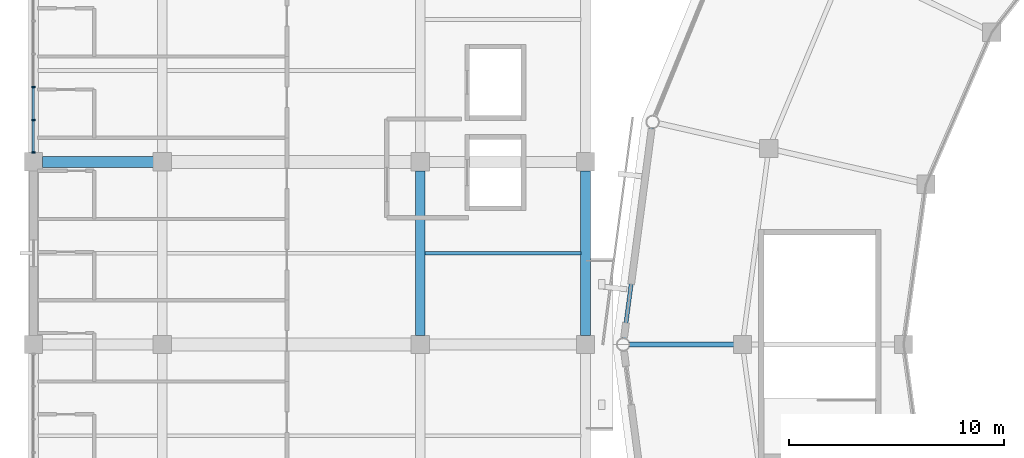
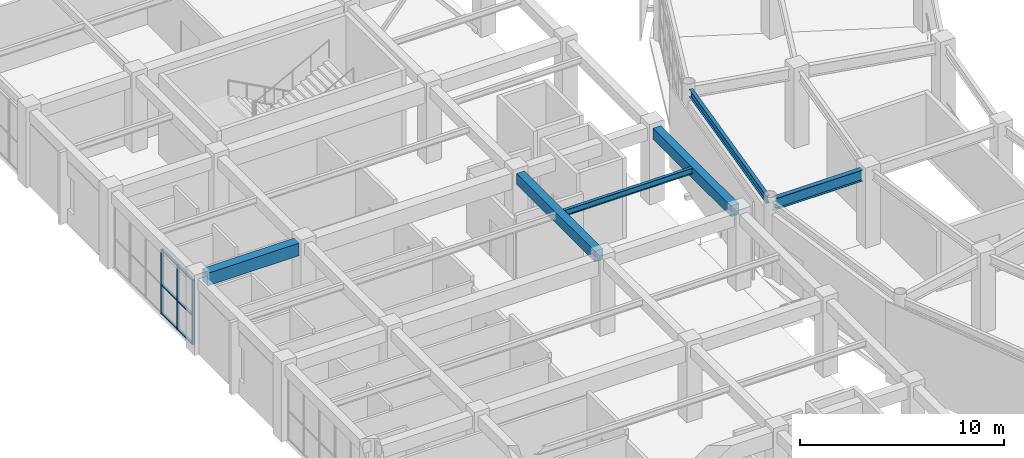
# One storey, part 35 of 112: 9 members, 6 beams, 1 element without a shape of its own.
"""IFC4 building model written with IfcOpenShell, lengths in metres."""

from ifc_helpers import new_model, si_unit, direction, frame, origin, origin_2d, place, context, subcontext, project, spatial, rectangle, i_section, extrude, material, material_profile, profile_set, type_object, element, aggregate, save


model = new_model("IFC4")

# Units and contexts
model_context = context("Model", 3, precision=1e-05, world=origin(), true_north=direction((0.0, 1.0)))
body_context = subcontext(model_context, "Body", "Model", "MODEL_VIEW")
ifc_project = project(units=[si_unit("LENGTHUNIT", "METRE"), si_unit("AREAUNIT", "SQUARE_METRE"), si_unit("VOLUMEUNIT", "CUBIC_METRE"), si_unit("PLANEANGLEUNIT", "RADIAN"), si_unit("MASSUNIT", "GRAM", prefix="KILO")], contexts=[model_context])

# Site, building, storey
site_placement = place(None, origin())
site = spatial("IfcSite", under=ifc_project, at=site_placement, CompositionType="ELEMENT")
building_placement = place(site_placement, origin())
building = spatial("IfcBuilding", under=site, at=building_placement, Name="Cuetzalor Civic Arena", CompositionType="ELEMENT")
storey_placement = place(building_placement, frame((0.0, 0.0, 11.39990234375)))
storey = spatial("IfcBuildingStorey", under=building, at=storey_placement, Name="L02", CompositionType="ELEMENT", Elevation=11.39990234375)

# Beams
ifc_material_1 = material(Name="Concrete C40/50", Category="concrete")
ifc_material_profile_1 = material_profile(ifc_material_1, rectangle(XDim=0.5, YDim=0.75, at=origin_2d()), Name="RC 500x750")
ifc_profile_set_1 = profile_set([ifc_material_profile_1], Name="Concrete C40/50")
beam_type_1 = type_object("IfcBeamType", Name="ConcreteFrameBeam_500x750", PredefinedType="BEAM", material=ifc_profile_set_1)
beam_1_placement = place(storey_placement, frame((-81.5849609375, 8.5, 4.14501953125), z_axis=(1.0, 0.0, 0.0), x_axis=(0.0, 1.0, 0.0)))
element("IfcBeam", 1, at=beam_1_placement, inside=storey, type_object=beam_type_1, Name="Frame Girder V4W-L02-X0646", PredefinedType="BEAM", context=body_context, shape_type="SweptSolid", body=[
    extrude(rectangle(XDim=0.5, YDim=0.75, at=origin_2d()), origin(), (0.0, 0.0, 1.0), 5.169921875),
])
ifc_material_2 = material(Name="Concrete C40/50", Category="concrete")
ifc_material_profile_2 = material_profile(ifc_material_2, rectangle(XDim=0.449951171875, YDim=0.64990234375, at=origin_2d()), Name="RC 450x650")
ifc_profile_set_2 = profile_set([ifc_material_profile_2], Name="Concrete C40/50")
beam_type_2 = type_object("IfcBeamType", Name="ConcreteTieBeam_450x650", PredefinedType="BEAM", material=ifc_profile_set_2)
for number, where, z_axis, x_axis, name in (
    (2, (-64.0, 0.4150390625, 4.195068359375), (0.0, 1.0, 0.0), (-1.0, 0.0, 0.0), "Frame Girder V4W-L02-Y0684"),
    (3, (-56.300048828125, 0.4150390625, 4.195068359375), (0.0, 1.0, 0.0), (-1.0, 0.0, 0.0), "Frame Girder V4W-L02-Y0694"),
):
    element("IfcBeam", number, at=place(storey_placement, frame(where, z_axis=z_axis, x_axis=x_axis)), inside=storey, type_object=beam_type_2, Name=name, PredefinedType="BEAM", context=body_context, shape_type="SweptSolid", body=[
        extrude(rectangle(XDim=0.449951171875, YDim=0.64990234375, at=origin_2d()), origin(), (0.0, 0.0, 1.0), 7.669921875),
    ])

# Curtain wall, members
ifc_material_3 = material(Name="Anodised dark bronze aluminium and low-E solar glass", Category="aluminium")
curtain_wall_type = type_object("IfcCurtainWallType", Name="UnitisedCW_7700x3850", PredefinedType="USERDEFINED", material=ifc_material_3)
curtain_wall_placement = place(storey_placement, origin())
curtain_wall = element("IfcCurtainWall", 4, at=curtain_wall_placement, inside=storey, type_object=curtain_wall_type, Name="V4W Suite Viewing Curtain Wall L02-116", ObjectType="UNITISED CURTAIN WALL", PredefinedType="USERDEFINED")
ifc_material_4 = material(Name="Anodised dark bronze aluminium", Category="aluminium")
ifc_material_profile_3 = material_profile(ifc_material_4, rectangle(XDim=0.06494140625, YDim=0.14990234375, at=origin_2d()), Name="ALU MULLION 65x150")
ifc_profile_set_3 = profile_set([ifc_material_profile_3], Name="Anodised dark bronze aluminium")
member_type_1 = type_object("IfcMemberType", Name="CurtainWallMullion_60x150", PredefinedType="MULLION", material=ifc_profile_set_3)
member_1_placement = place(storey_placement, frame((-82.0, 8.939453125, 0.0), z_axis=(0.0, 0.0, 1.0), x_axis=(0.0, 1.0, 0.0)))
member_1 = element("IfcMember", 5, at=member_1_placement, type_object=member_type_1, Name="CW-42 mullion 1", PredefinedType="MULLION", context=body_context, shape_type="SweptSolid", body=[
    extrude(rectangle(XDim=0.06494140625, YDim=0.14990234375, at=origin_2d()), origin(), (0.0, 0.0, 1.0), 3.860107421875),
])
member_2_placement = place(storey_placement, frame((-82.0, 10.444091796875, 0.0), z_axis=(0.0, 0.0, 1.0), x_axis=(0.0, 1.0, 0.0)))
member_2 = element("IfcMember", 6, at=member_2_placement, type_object=member_type_1, Name="CW-42 mullion 2", PredefinedType="MULLION", context=body_context, shape_type="SweptSolid", body=[
    extrude(rectangle(XDim=0.06494140625, YDim=0.14990234375, at=origin_2d()), origin(), (0.0, 0.0, 1.0), 3.860107421875),
])
member_3_placement = place(storey_placement, frame((-82.0, 11.9814453125, 0.0), z_axis=(0.0, 0.0, 1.0), x_axis=(0.0, 1.0, 0.0)))
member_3 = element("IfcMember", 7, at=member_3_placement, type_object=member_type_1, Name="CW-42 mullion 3", PredefinedType="MULLION", context=body_context, shape_type="SweptSolid", body=[
    extrude(rectangle(XDim=0.06494140625, YDim=0.14990234375, at=origin_2d()), origin(), (0.0, 0.0, 1.0), 3.860107421875),
])
ifc_material_5 = material(Name="Anodised dark bronze aluminium", Category="aluminium")
ifc_material_profile_4 = material_profile(ifc_material_5, rectangle(XDim=0.1201171875, YDim=0.06494140625, at=origin_2d()), Name="ALU TRANSOM 65x120")
ifc_profile_set_4 = profile_set([ifc_material_profile_4], Name="Anodised dark bronze aluminium")
member_type_2 = type_object("IfcMemberType", Name="CurtainWallTransom_60x120", PredefinedType="USERDEFINED", material=ifc_profile_set_4)
member_4_placement = place(storey_placement, frame((-82.0, 8.971923828125, 0.03271484375), z_axis=(0.0, 1.0, 0.0), x_axis=(-1.0, 0.0, 0.0)))
member_4 = element("IfcMember", 8, at=member_4_placement, type_object=member_type_2, Name="CW-42 transom 1.1", ObjectType="TRANSOM", PredefinedType="USERDEFINED", context=body_context, shape_type="SweptSolid", body=[
    extrude(rectangle(XDim=0.1201171875, YDim=0.06494140625, at=origin_2d()), origin(), (0.0, 0.0, 1.0), 1.439697265625),
])
member_5_placement = place(storey_placement, frame((-82.0, 8.971923828125, 1.737060546875), z_axis=(0.0, 1.0, 0.0), x_axis=(-1.0, 0.0, 0.0)))
member_5 = element("IfcMember", 9, at=member_5_placement, type_object=member_type_2, Name="CW-42 transom 1.2", ObjectType="TRANSOM", PredefinedType="USERDEFINED", context=body_context, shape_type="SweptSolid", body=[
    extrude(rectangle(XDim=0.1201171875, YDim=0.06494140625, at=origin_2d()), origin(), (0.0, 0.0, 1.0), 1.439697265625),
])
member_6_placement = place(storey_placement, frame((-82.0, 8.971923828125, 3.82763671875), z_axis=(0.0, 1.0, 0.0), x_axis=(-1.0, 0.0, 0.0)))
member_6 = element("IfcMember", 10, at=member_6_placement, type_object=member_type_2, Name="CW-42 transom 1.3", ObjectType="TRANSOM", PredefinedType="USERDEFINED", context=body_context, shape_type="SweptSolid", body=[
    extrude(rectangle(XDim=0.1201171875, YDim=0.06494140625, at=origin_2d()), origin(), (0.0, 0.0, 1.0), 1.439697265625),
])
member_7_placement = place(storey_placement, frame((-82.0, 10.476806640625, 0.03271484375), z_axis=(0.0, 1.0, 0.0), x_axis=(-1.0, 0.0, 0.0)))
member_7 = element("IfcMember", 11, at=member_7_placement, type_object=member_type_2, Name="CW-42 transom 2.1", ObjectType="TRANSOM", PredefinedType="USERDEFINED", context=body_context, shape_type="SweptSolid", body=[
    extrude(rectangle(XDim=0.1201171875, YDim=0.06494140625, at=origin_2d()), origin(), (0.0, 0.0, 1.0), 1.47216796875),
])
member_8_placement = place(storey_placement, frame((-82.0, 10.476806640625, 1.737060546875), z_axis=(0.0, 1.0, 0.0), x_axis=(-1.0, 0.0, 0.0)))
member_8 = element("IfcMember", 12, at=member_8_placement, type_object=member_type_2, Name="CW-42 transom 2.2", ObjectType="TRANSOM", PredefinedType="USERDEFINED", context=body_context, shape_type="SweptSolid", body=[
    extrude(rectangle(XDim=0.1201171875, YDim=0.06494140625, at=origin_2d()), origin(), (0.0, 0.0, 1.0), 1.47216796875),
])
member_9_placement = place(storey_placement, frame((-82.0, 10.476806640625, 3.82763671875), z_axis=(0.0, 1.0, 0.0), x_axis=(-1.0, 0.0, 0.0)))
member_9 = element("IfcMember", 13, at=member_9_placement, type_object=member_type_2, Name="CW-42 transom 2.3", ObjectType="TRANSOM", PredefinedType="USERDEFINED", context=body_context, shape_type="SweptSolid", body=[
    extrude(rectangle(XDim=0.1201171875, YDim=0.06494140625, at=origin_2d()), origin(), (0.0, 0.0, 1.0), 1.47216796875),
])
aggregate(curtain_wall, [member_1, member_2, member_3, member_4, member_5, member_6, member_7, member_8, member_9])

# Beams
ifc_material_6 = material(Name="Steel S355", Category="steel")
ifc_material_profile_5 = material_profile(ifc_material_6, i_section(OverallWidth=0.18994140625, OverallDepth=0.45703125, WebThickness=0.009033203125, FlangeThickness=0.014404296875, at=origin_2d()), Name="W460x74")
ifc_profile_set_5 = profile_set([ifc_material_profile_5], Name="Steel S355")
beam_type_3 = type_object("IfcBeamType", Name="FacadeSpandrelBeam_W460", PredefinedType="SPANDREL", material=ifc_profile_set_5)
beam_2_placement = place(storey_placement, frame((-53.22021484375, 10.07080078125, 4.29150390625), z_axis=(-0.130901206694, -0.991395417624, 0.0), x_axis=(0.991395417624, -0.130901206694, 0.0)))
element("IfcBeam", 14, at=beam_2_placement, inside=storey, type_object=beam_type_3, Name="Drum Perimeter Spandrel L02-S14", PredefinedType="SPANDREL", context=body_context, shape_type="SweptSolid", body=[
    extrude(i_section(OverallWidth=0.18994140625, OverallDepth=0.45703125, WebThickness=0.009033203125, FlangeThickness=0.014404296875, at=origin_2d()), origin(), (0.0, 0.0, 1.0), 9.8681640625),
])
ifc_material_7 = material(Name="Steel S355", Category="steel")
ifc_material_profile_6 = material_profile(ifc_material_7, i_section(OverallWidth=0.1708984375, OverallDepth=0.35498046875, WebThickness=0.007080078125, FlangeThickness=0.01171875, at=origin_2d()), Name="W360x51")
ifc_profile_set_6 = profile_set([ifc_material_profile_6], Name="Steel S355")
beam_type_4 = type_object("IfcBeamType", Name="SecondaryFloorJoist_W360", PredefinedType="JOIST", material=ifc_profile_set_6)
beam_3_placement = place(storey_placement, frame((-63.782958984375, 4.25, 4.342529296875), z_axis=(1.0, 0.0, 0.0), x_axis=(0.0, 1.0, 0.0)))
element("IfcBeam", 15, at=beam_3_placement, inside=storey, type_object=beam_type_4, Name="Secondary Floor Joist V4W-L02-0211", PredefinedType="JOIST", context=body_context, shape_type="SweptSolid", body=[
    extrude(i_section(OverallWidth=0.1708984375, OverallDepth=0.35498046875, WebThickness=0.007080078125, FlangeThickness=0.01171875, at=origin_2d()), origin(), (0.0, 0.0, 1.0), 7.265869140625),
])
ifc_material_8 = material(Name="Steel S355", Category="steel")
ifc_material_profile_7 = material_profile(ifc_material_8, i_section(OverallWidth=0.2529296875, OverallDepth=0.677978515625, WebThickness=0.01171875, FlangeThickness=0.016357421875, at=origin_2d()), Name="W690x125")
ifc_profile_set_7 = profile_set([ifc_material_profile_7], Name="Steel S355")
beam_type_5 = type_object("IfcBeamType", Name="SteelPrimaryGirder_W690", PredefinedType="BEAM", material=ifc_profile_set_7)
beam_4_placement = place(storey_placement, frame((-49.360107421875, 0.0, 4.18115234375), z_axis=(-1.0, 0.0, 0.0), x_axis=(0.0, -1.0, 0.0)))
element("IfcBeam", 16, at=beam_4_placement, inside=storey, type_object=beam_type_5, Name="Drum Radial Girder L02-R15", PredefinedType="BEAM", context=body_context, shape_type="SweptSolid", body=[
    extrude(i_section(OverallWidth=0.2529296875, OverallDepth=0.677978515625, WebThickness=0.01171875, FlangeThickness=0.016357421875, at=origin_2d()), origin(), (0.0, 0.0, 1.0), 4.89990234375),
])

save(model, "model.ifc")
